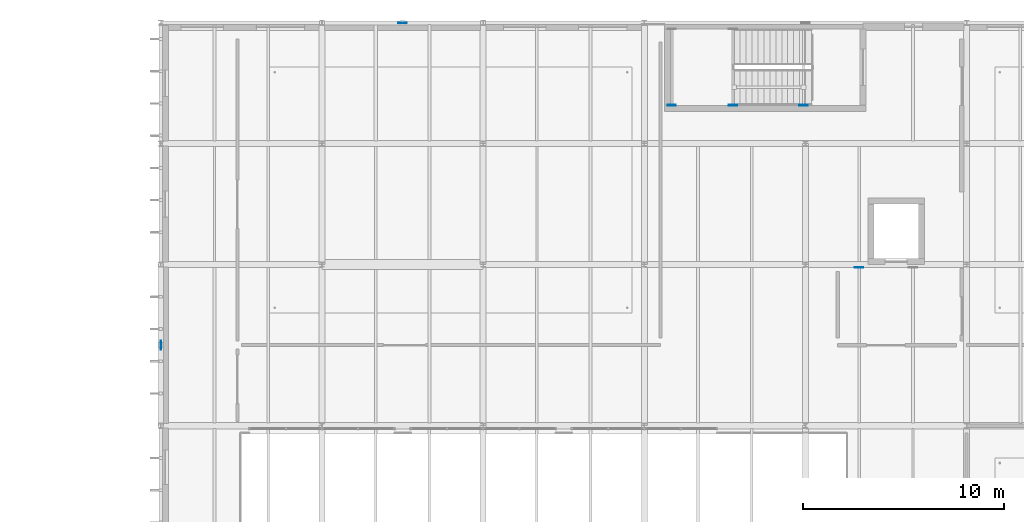
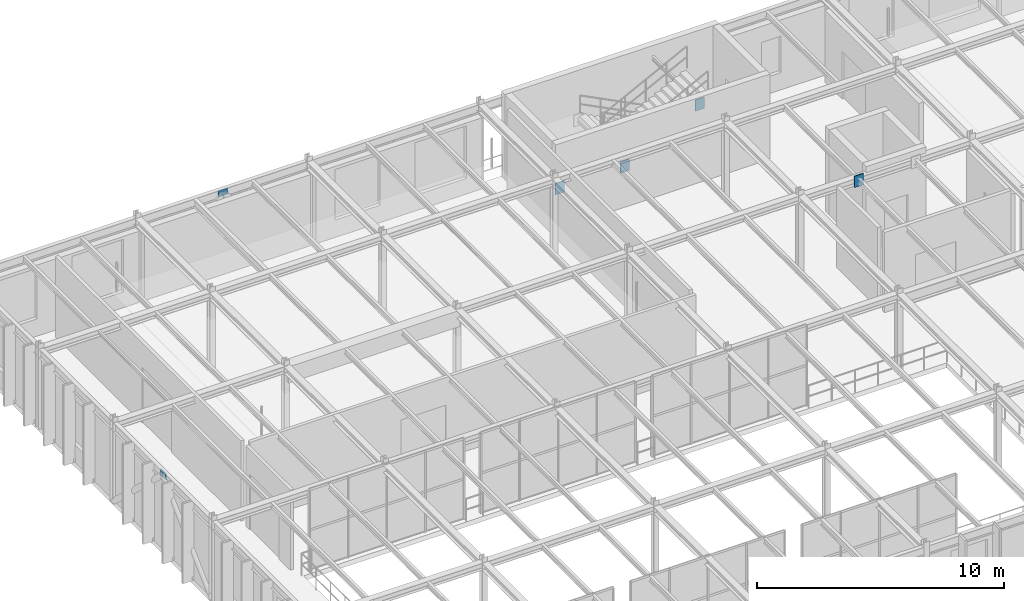
# One storey, part 75 of 124: 6 plates.
"""IFC4 building model written with IfcOpenShell, lengths in metres."""

from ifc_helpers import new_model, si_unit, direction, frame, origin, origin_2d, place, context, subcontext, project, spatial, rectangle, extrude, material, layer, layer_set, type_object, element, save


model = new_model("IFC4")

# Units and contexts
model_context = context("Model", 3, precision=1e-05, world=origin(), true_north=direction((0.0, 1.0)))
body_context = subcontext(model_context, "Body", "Model", "MODEL_VIEW")
ifc_project = project(units=[si_unit("LENGTHUNIT", "METRE"), si_unit("AREAUNIT", "SQUARE_METRE"), si_unit("VOLUMEUNIT", "CUBIC_METRE"), si_unit("PLANEANGLEUNIT", "RADIAN"), si_unit("MASSUNIT", "GRAM", prefix="KILO")], contexts=[model_context])

# Site, building, storey
site_placement = place(None, origin())
site = spatial("IfcSite", under=ifc_project, at=site_placement, CompositionType="ELEMENT")
building_placement = place(site_placement, origin())
building = spatial("IfcBuilding", under=site, at=building_placement, Name="Sundkrona Museum", CompositionType="ELEMENT")
storey_placement = place(building_placement, frame((0.0, 0.0, 17.60009765625)))
storey = spatial("IfcBuildingStorey", under=building, at=storey_placement, Name="L03", CompositionType="ELEMENT", Elevation=17.60009765625)

# Plates
ifc_material = material(Name="Steel S355J2", Category="steel")
ifc_layer_1 = layer(ifc_material, 0.034912109375)
ifc_layer_set_1 = layer_set([ifc_layer_1], Name="Steel S355J2")
plate_type_1 = type_object("IfcPlateType", Name="EP-1", PredefinedType="USERDEFINED", material=ifc_layer_set_1)
for number, where, z_axis, x_axis, name in (
    (1, (50.666748046875, 101.85595703125, 3.48486328125), (0.0, 0.0, 1.0), (1.0, 0.0, 0.0), "Core Wall Cast-In Embed Plate JS-L03-1016-2"),
    (2, (41.36328125, 109.909912109375, 1.499755859375), (0.0, 0.0, 1.0), (1.0, 0.0, 0.0), "Core Wall Cast-In Embed Plate BM-STLD-ST-3-L03-1A-1"),
    (3, (44.401611328125, 109.909912109375, 1.499755859375), (0.0, 0.0, 1.0), (1.0, 0.0, 0.0), "Core Wall Cast-In Embed Plate BM-STLD-ST-3-L03-1B-1"),
    (4, (47.89990234375, 109.909912109375, 3.333251953125), (0.0, 0.0, 1.0), (1.0, 0.0, 0.0), "Core Wall Cast-In Embed Plate BM-STHD-ST-3-L03-2-1"),
):
    element("IfcPlate", number, at=place(storey_placement, frame(where, z_axis=z_axis, x_axis=x_axis)), inside=storey, type_object=plate_type_1, Name=name, ObjectType="GUSSET PLATE", PredefinedType="USERDEFINED", context=body_context, shape_type="SweptSolid", body=[
        extrude(rectangle(XDim=0.419921875, YDim=0.034912109375, at=origin_2d()), origin(), (0.0, 0.0, 1.0), 0.56005859375),
    ])
ifc_layer_2 = layer(ifc_material, 0.02197265625)
ifc_layer_set_2 = layer_set([ifc_layer_2], Name="Steel S355J2")
plate_type_2 = type_object("IfcPlateType", Name="GP-5", PredefinedType="USERDEFINED", material=ifc_layer_set_2)
for number, where, z_axis, x_axis, name in (
    (5, (28.0, 114.0, 3.5849609375), (0.0, 0.0, 1.0), (1.0, 0.0, 0.0), "L03 Chevron Apex Gusset Plate 017"),
    (6, (16.0, 98.0, 3.5849609375), (0.0, 0.0, 1.0), (0.0, 1.0, 0.0), "L03 Chevron Apex Gusset Plate 024"),
):
    element("IfcPlate", number, at=place(storey_placement, frame(where, z_axis=z_axis, x_axis=x_axis)), inside=storey, type_object=plate_type_2, Name=name, ObjectType="GUSSET PLATE", PredefinedType="USERDEFINED", context=body_context, shape_type="SweptSolid", body=[
        extrude(rectangle(XDim=0.43994140625, YDim=0.02197265625, at=origin_2d()), origin(), (0.0, 0.0, 1.0), 0.31005859375),
    ])

save(model, "model.ifc")
